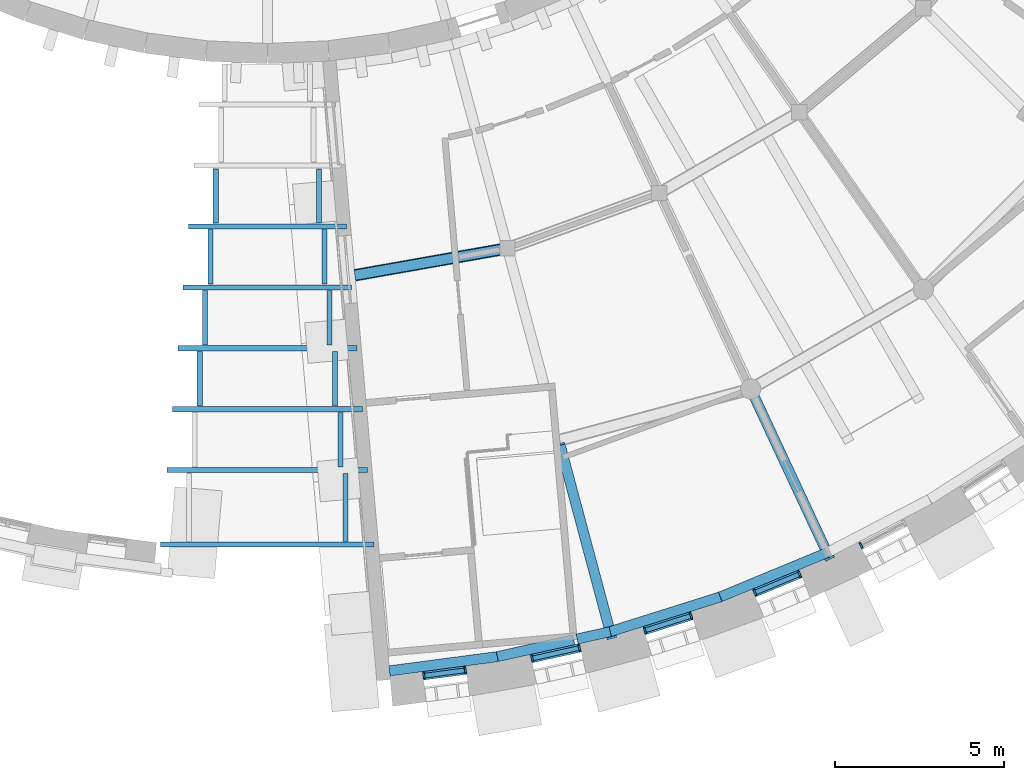
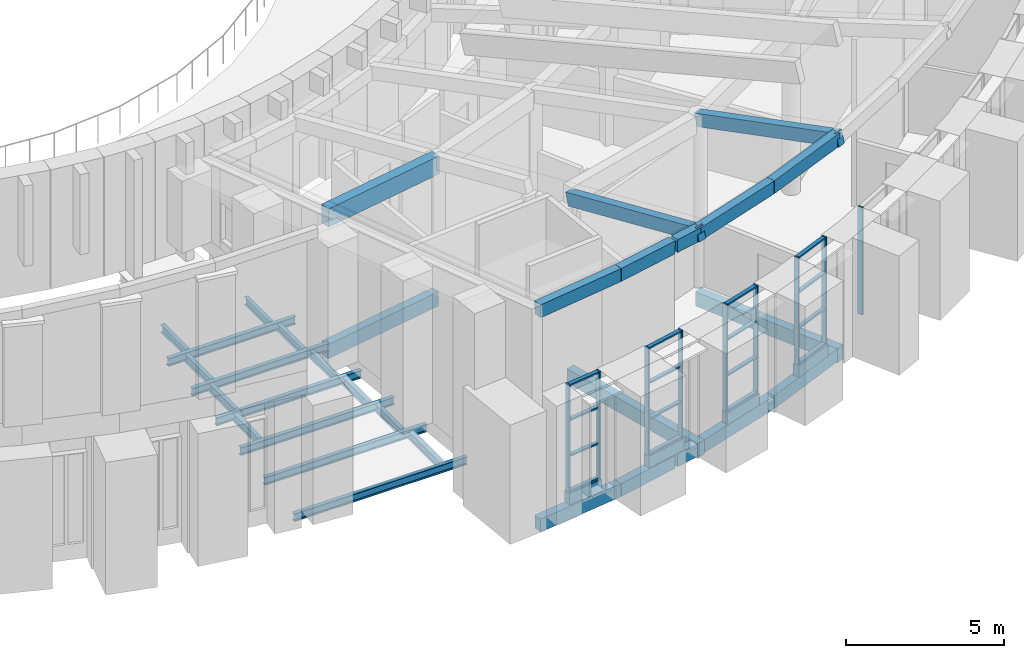
# One storey, part 2 of 50: 36 beams, 25 members, 5 elements without a shape of their own.
"""IFC4 building model written with IfcOpenShell, lengths in metres."""

from ifc_helpers import new_model, si_unit, direction, frame, origin, origin_2d, place, context, subcontext, project, spatial, rectangle, i_section, extrude, material, layer, layer_set, material_profile, profile_set, type_object, element, aggregate, save


model = new_model("IFC4")

# Units and contexts
model_context = context("Model", 3, precision=1e-05, world=origin(), true_north=direction((0.0, 1.0)))
body_context = subcontext(model_context, "Body", "Model", "MODEL_VIEW")
ifc_project = project(units=[si_unit("LENGTHUNIT", "METRE"), si_unit("AREAUNIT", "SQUARE_METRE"), si_unit("VOLUMEUNIT", "CUBIC_METRE"), si_unit("PLANEANGLEUNIT", "RADIAN"), si_unit("MASSUNIT", "GRAM", prefix="KILO")], contexts=[model_context])

# Site, building, storey
site_placement = place(None, origin())
site = spatial("IfcSite", under=ifc_project, at=site_placement, CompositionType="ELEMENT")
building_placement = place(site_placement, origin())
building = spatial("IfcBuilding", under=site, at=building_placement, Name="Volute Hill Aquarium", CompositionType="ELEMENT")
storey_placement = place(building_placement, frame((0.0, 0.0, 9.199951171875)))
storey = spatial("IfcBuildingStorey", under=building, at=storey_placement, Name="L03", CompositionType="ELEMENT", Elevation=9.199951171875)

# Beams
ifc_material_1 = material(Name="Concrete C35/45", Category="concrete")
ifc_material_profile_1 = material_profile(ifc_material_1, rectangle(XDim=0.300048828125, YDim=0.550048828125, at=origin_2d()), Name="RC beam 300x550")
ifc_profile_set_1 = profile_set([ifc_material_profile_1], Name="Concrete C35/45")
beam_type_1 = type_object("IfcBeamType", Name="Beam 300x550 C35/45", PredefinedType="BEAM", material=ifc_profile_set_1)
beam_1_placement = place(storey_placement, frame((8.644775390625, -32.262939453125, -0.544921875), z_axis=(0.258834145375, -0.965921780057, 0.0), x_axis=(0.965921780057, 0.258834145375, 0.0)))
element("IfcBeam", 1, at=beam_1_placement, inside=storey, type_object=beam_type_1, Name="bm/S3/L03/rad1.3", PredefinedType="BEAM", context=body_context, shape_type="SweptSolid", body=[
    extrude(rectangle(XDim=0.300048828125, YDim=0.550048828125, at=origin_2d()), origin(), (0.0, 0.0, 1.0), 5.848876953125),
])
beam_2_placement = place(storey_placement, frame((14.2705078125, -30.60302734375, -0.544921875), z_axis=(0.422629512047, -0.906302540847, 0.0), x_axis=(0.906302540847, 0.422629512047, 0.0)))
element("IfcBeam", 2, at=beam_2_placement, inside=storey, type_object=beam_type_1, Name="bm/S3/L03/rad2.6", PredefinedType="BEAM", context=body_context, shape_type="SweptSolid", body=[
    extrude(rectangle(XDim=0.300048828125, YDim=0.550048828125, at=origin_2d()), origin(), (0.0, 0.0, 1.0), 5.483154296875),
])
beam_3_placement = place(storey_placement, frame((2.584228515625, -27.244140625, -0.544921875), z_axis=(0.984810959113, 0.173629993984, 0.0), x_axis=(-0.173629993984, 0.984810959113, 0.0)))
element("IfcBeam", 3, at=beam_3_placement, inside=storey, type_object=beam_type_1, Name="bm/S3/L03/ring1.13", PredefinedType="BEAM", context=body_context, shape_type="SweptSolid", body=[
    extrude(rectangle(XDim=0.300048828125, YDim=0.550048828125, at=origin_2d()), origin(), (0.0, 0.0, 1.0), 4.572509765625),
])
ifc_material_2 = material(Name="Concrete C35/45", Category="concrete")
ifc_material_profile_2 = material_profile(ifc_material_2, rectangle(XDim=0.35009765625, YDim=0.699951171875, at=origin_2d()), Name="RC beam 350x700")
ifc_profile_set_2 = profile_set([ifc_material_profile_2], Name="Concrete C35/45")
beam_type_2 = type_object("IfcBeamType", Name="Beam 350x700 C35/45", PredefinedType="BEAM", material=ifc_profile_set_2)
beam_4_placement = place(storey_placement, frame((2.584228515625, -27.244140625, 4.6328125), z_axis=(0.984810959113, 0.173629993984, 0.0), x_axis=(-0.173629993984, 0.984810959113, 0.0)))
element("IfcBeam", 4, at=beam_4_placement, inside=storey, type_object=beam_type_2, Name="rb/S3/L03/ring1.13", PredefinedType="BEAM", context=body_context, shape_type="SweptSolid", body=[
    extrude(rectangle(XDim=0.35009765625, YDim=0.699951171875, at=origin_2d()), origin(), (0.0, 0.0, 1.0), 4.572509765625),
])

# Curtain wall, members
ifc_material_3 = material(Name="Aluminium", Category="aluminium")
ifc_layer_1 = layer(ifc_material_3, 0.25)
ifc_layer_set_1 = layer_set([ifc_layer_1], Name="Curtain wall niche S3 module 1289")
curtain_wall_type_1 = type_object("IfcCurtainWallType", Name="Curtain wall niche S3 module 1289", PredefinedType="NOTDEFINED", material=ifc_layer_set_1)
curtain_wall_1_placement = place(storey_placement, origin())
curtain_wall_1 = element("IfcCurtainWall", 5, at=curtain_wall_1_placement, inside=storey, type_object=curtain_wall_type_1, Name="Curtain wall CW S3 L03 1", PredefinedType="NOTDEFINED")
ifc_material_4 = material(Name="Aluminium", Category="aluminium")
ifc_material_profile_3 = material_profile(ifc_material_4, rectangle(XDim=0.179931640625, YDim=0.06005859375, at=origin_2d()), Name="Curtain wall mullion S3 60x180")
ifc_profile_set_3 = profile_set([ifc_material_profile_3], Name="Aluminium")
member_type_1 = type_object("IfcMemberType", Name="Curtain wall mullion S3 60x180", PredefinedType="MULLION", material=ifc_profile_set_3)
member_1_placement = place(storey_placement, frame((4.62451171875, -39.06787109375, 0.449951171875), z_axis=(0.0, 0.0, 1.0), x_axis=(-0.130506486875, 0.991447455432, 0.0)))
member_1 = element("IfcMember", 6, at=member_1_placement, type_object=member_type_1, Name="CW mullion 1", PredefinedType="MULLION", context=body_context, shape_type="SweptSolid", body=[
    extrude(rectangle(XDim=0.179931640625, YDim=0.06005859375, at=origin_2d()), origin(), (0.0, 0.0, 1.0), 4.150146484375),
])
member_2_placement = place(storey_placement, frame((5.843017578125, -38.907470703125, 0.449951171875), z_axis=(0.0, 0.0, 1.0), x_axis=(-0.130506486875, 0.991447455432, 0.0)))
member_2 = element("IfcMember", 7, at=member_2_placement, type_object=member_type_1, Name="CW mullion 2", PredefinedType="MULLION", context=body_context, shape_type="SweptSolid", body=[
    extrude(rectangle(XDim=0.179931640625, YDim=0.06005859375, at=origin_2d()), origin(), (0.0, 0.0, 1.0), 4.150146484375),
])

ifc_material_5 = material(Name="Aluminium", Category="aluminium")
ifc_layer_2 = layer(ifc_material_5, 0.25)
ifc_layer_set_2 = layer_set([ifc_layer_2], Name="Curtain wall niche S3 module 1489")
curtain_wall_type_2 = type_object("IfcCurtainWallType", Name="Curtain wall niche S3 module 1489", PredefinedType="NOTDEFINED", material=ifc_layer_set_2)
curtain_wall_2_placement = place(storey_placement, origin())
curtain_wall_2 = element("IfcCurtainWall", 8, at=curtain_wall_2_placement, inside=storey, type_object=curtain_wall_type_2, Name="Curtain wall CW S3 L03 2", PredefinedType="NOTDEFINED")
member_3_placement = place(storey_placement, frame((7.81640625, -38.5595703125, 0.449951171875), z_axis=(0.0, 0.0, 1.0), x_axis=(-0.216429178819, 0.976298320472, 0.0)))
member_3 = element("IfcMember", 9, at=member_3_placement, type_object=member_type_1, Name="CW mullion 1", PredefinedType="MULLION", context=body_context, shape_type="SweptSolid", body=[
    extrude(rectangle(XDim=0.179931640625, YDim=0.06005859375, at=origin_2d()), origin(), (0.0, 0.0, 1.0), 4.150146484375),
])
member_4_placement = place(storey_placement, frame((9.211669921875, -38.250244140625, 0.449951171875), z_axis=(0.0, 0.0, 1.0), x_axis=(-0.216429178819, 0.976298320472, 0.0)))
member_4 = element("IfcMember", 10, at=member_4_placement, type_object=member_type_1, Name="CW mullion 2", PredefinedType="MULLION", context=body_context, shape_type="SweptSolid", body=[
    extrude(rectangle(XDim=0.179931640625, YDim=0.06005859375, at=origin_2d()), origin(), (0.0, 0.0, 1.0), 4.150146484375),
])

curtain_wall_3_placement = place(storey_placement, origin())
curtain_wall_3 = element("IfcCurtainWall", 11, at=curtain_wall_3_placement, inside=storey, type_object=curtain_wall_type_2, Name="Curtain wall CW S3 L03 3", PredefinedType="NOTDEFINED")
member_5_placement = place(storey_placement, frame((11.147216796875, -37.7314453125, 0.449951171875), z_axis=(0.0, 0.0, 1.0), x_axis=(-0.300712597453, 0.953714807337, 0.0)))
member_5 = element("IfcMember", 12, at=member_5_placement, type_object=member_type_1, Name="CW mullion 1", PredefinedType="MULLION", context=body_context, shape_type="SweptSolid", body=[
    extrude(rectangle(XDim=0.179931640625, YDim=0.06005859375, at=origin_2d()), origin(), (0.0, 0.0, 1.0), 4.150146484375),
])
member_6_placement = place(storey_placement, frame((12.510498046875, -37.3017578125, 0.449951171875), z_axis=(0.0, 0.0, 1.0), x_axis=(-0.300712597453, 0.953714807337, 0.0)))
member_6 = element("IfcMember", 13, at=member_6_placement, type_object=member_type_1, Name="CW mullion 2", PredefinedType="MULLION", context=body_context, shape_type="SweptSolid", body=[
    extrude(rectangle(XDim=0.179931640625, YDim=0.06005859375, at=origin_2d()), origin(), (0.0, 0.0, 1.0), 4.150146484375),
])

curtain_wall_4_placement = place(storey_placement, origin())
curtain_wall_4 = element("IfcCurtainWall", 14, at=curtain_wall_4_placement, inside=storey, type_object=curtain_wall_type_2, Name="Curtain wall CW S3 L03 4", PredefinedType="NOTDEFINED")
member_7_placement = place(storey_placement, frame((14.3935546875, -36.6162109375, 0.449951171875), z_axis=(0.0, 0.0, 1.0), x_axis=(-0.382692594649, 0.923875737316, 0.0)))
member_7 = element("IfcMember", 15, at=member_7_placement, type_object=member_type_1, Name="CW mullion 1", PredefinedType="MULLION", context=body_context, shape_type="SweptSolid", body=[
    extrude(rectangle(XDim=0.179931640625, YDim=0.06005859375, at=origin_2d()), origin(), (0.0, 0.0, 1.0), 4.150146484375),
])
member_8_placement = place(storey_placement, frame((15.7138671875, -36.0693359375, 0.449951171875), z_axis=(0.0, 0.0, 1.0), x_axis=(-0.382692594649, 0.923875737316, 0.0)))
member_8 = element("IfcMember", 16, at=member_8_placement, type_object=member_type_1, Name="CW mullion 2", PredefinedType="MULLION", context=body_context, shape_type="SweptSolid", body=[
    extrude(rectangle(XDim=0.179931640625, YDim=0.06005859375, at=origin_2d()), origin(), (0.0, 0.0, 1.0), 4.150146484375),
])

# Curtain wall, member
curtain_wall_5_placement = place(storey_placement, origin())
curtain_wall_5 = element("IfcCurtainWall", 17, at=curtain_wall_5_placement, inside=storey, type_object=curtain_wall_type_2, Name="Curtain wall CW S3 L03 5", PredefinedType="NOTDEFINED")
member_9_placement = place(storey_placement, frame((17.530029296875, -35.222412109375, 0.449951171875), z_axis=(0.0, 0.0, 1.0), x_axis=(-0.461744254001, 0.887013102438, 0.0)))
member_9 = element("IfcMember", 18, at=member_9_placement, type_object=member_type_1, Name="CW mullion 1", PredefinedType="MULLION", context=body_context, shape_type="SweptSolid", body=[
    extrude(rectangle(XDim=0.179931640625, YDim=0.06005859375, at=origin_2d()), origin(), (0.0, 0.0, 1.0), 4.150146484375),
])
aggregate(curtain_wall_5, [member_9])

# Member
ifc_material_6 = material(Name="Aluminium", Category="aluminium")
ifc_material_profile_4 = material_profile(ifc_material_6, rectangle(XDim=0.139892578125, YDim=0.06005859375, at=origin_2d()), Name="Curtain wall transom S3 60x140")
ifc_profile_set_4 = profile_set([ifc_material_profile_4], Name="Aluminium")
member_type_2 = type_object("IfcMemberType", Name="Curtain wall transom S3 60x140", PredefinedType="USERDEFINED", material=ifc_profile_set_4)
member_10_placement = place(storey_placement, frame((4.654296875, -39.06396484375, 0.47998046875), z_axis=(0.991443629013, 0.130535552588, 0.0), x_axis=(-0.130535552588, 0.991443629013, 0.0)))
member_10 = element("IfcMember", 19, at=member_10_placement, type_object=member_type_2, Name="CW transom 1.1", ObjectType="TRANSOM", PredefinedType="USERDEFINED", context=body_context, shape_type="SweptSolid", body=[
    extrude(rectangle(XDim=0.139892578125, YDim=0.06005859375, at=origin_2d()), origin(), (0.0, 0.0, 1.0), 1.1689453125),
])

member_11_placement = place(storey_placement, frame((4.654296875, -39.06396484375, 1.83349609375), z_axis=(0.991443629013, 0.130535552588, 0.0), x_axis=(-0.130535552588, 0.991443629013, 0.0)))
member_11 = element("IfcMember", 20, at=member_11_placement, type_object=member_type_2, Name="CW transom 1.2", ObjectType="TRANSOM", PredefinedType="USERDEFINED", context=body_context, shape_type="SweptSolid", body=[
    extrude(rectangle(XDim=0.139892578125, YDim=0.06005859375, at=origin_2d()), origin(), (0.0, 0.0, 1.0), 1.1689453125),
])

member_12_placement = place(storey_placement, frame((4.654296875, -39.06396484375, 3.216796875), z_axis=(0.991443629013, 0.130535552588, 0.0), x_axis=(-0.130535552588, 0.991443629013, 0.0)))
member_12 = element("IfcMember", 21, at=member_12_placement, type_object=member_type_2, Name="CW transom 1.3", ObjectType="TRANSOM", PredefinedType="USERDEFINED", context=body_context, shape_type="SweptSolid", body=[
    extrude(rectangle(XDim=0.139892578125, YDim=0.06005859375, at=origin_2d()), origin(), (0.0, 0.0, 1.0), 1.1689453125),
])

member_13_placement = place(storey_placement, frame((4.654296875, -39.06396484375, 4.570068359375), z_axis=(0.991443629013, 0.130535552588, 0.0), x_axis=(-0.130535552588, 0.991443629013, 0.0)))
member_13 = element("IfcMember", 22, at=member_13_placement, type_object=member_type_2, Name="CW transom 1.4", ObjectType="TRANSOM", PredefinedType="USERDEFINED", context=body_context, shape_type="SweptSolid", body=[
    extrude(rectangle(XDim=0.139892578125, YDim=0.06005859375, at=origin_2d()), origin(), (0.0, 0.0, 1.0), 1.1689453125),
])

aggregate(curtain_wall_1, [member_1, member_2, member_10, member_11, member_12, member_13])

member_14_placement = place(storey_placement, frame((7.845703125, -38.552978515625, 0.47998046875), z_axis=(0.976287651886, 0.216477298519, 0.0), x_axis=(-0.216477298519, 0.976287651886, 0.0)))
member_14 = element("IfcMember", 23, at=member_14_placement, type_object=member_type_2, Name="CW transom 1.1", ObjectType="TRANSOM", PredefinedType="USERDEFINED", context=body_context, shape_type="SweptSolid", body=[
    extrude(rectangle(XDim=0.139892578125, YDim=0.06005859375, at=origin_2d()), origin(), (0.0, 0.0, 1.0), 1.369140625),
])

member_15_placement = place(storey_placement, frame((7.845703125, -38.552978515625, 1.83349609375), z_axis=(0.976287651886, 0.216477298519, 0.0), x_axis=(-0.216477298519, 0.976287651886, 0.0)))
member_15 = element("IfcMember", 24, at=member_15_placement, type_object=member_type_2, Name="CW transom 1.2", ObjectType="TRANSOM", PredefinedType="USERDEFINED", context=body_context, shape_type="SweptSolid", body=[
    extrude(rectangle(XDim=0.139892578125, YDim=0.06005859375, at=origin_2d()), origin(), (0.0, 0.0, 1.0), 1.369140625),
])

member_16_placement = place(storey_placement, frame((7.845703125, -38.552978515625, 3.216796875), z_axis=(0.976287651886, 0.216477298519, 0.0), x_axis=(-0.216477298519, 0.976287651886, 0.0)))
member_16 = element("IfcMember", 25, at=member_16_placement, type_object=member_type_2, Name="CW transom 1.3", ObjectType="TRANSOM", PredefinedType="USERDEFINED", context=body_context, shape_type="SweptSolid", body=[
    extrude(rectangle(XDim=0.139892578125, YDim=0.06005859375, at=origin_2d()), origin(), (0.0, 0.0, 1.0), 1.369140625),
])

member_17_placement = place(storey_placement, frame((7.845703125, -38.552978515625, 4.570068359375), z_axis=(0.976287651886, 0.216477298519, 0.0), x_axis=(-0.216477298519, 0.976287651886, 0.0)))
member_17 = element("IfcMember", 26, at=member_17_placement, type_object=member_type_2, Name="CW transom 1.4", ObjectType="TRANSOM", PredefinedType="USERDEFINED", context=body_context, shape_type="SweptSolid", body=[
    extrude(rectangle(XDim=0.139892578125, YDim=0.06005859375, at=origin_2d()), origin(), (0.0, 0.0, 1.0), 1.369140625),
])

aggregate(curtain_wall_2, [member_3, member_4, member_14, member_15, member_16, member_17])

member_18_placement = place(storey_placement, frame((11.176025390625, -37.722412109375, 0.47998046875), z_axis=(0.953728095538, 0.300670450463, 0.0), x_axis=(-0.300670450463, 0.953728095538, 0.0)))
member_18 = element("IfcMember", 27, at=member_18_placement, type_object=member_type_2, Name="CW transom 1.1", ObjectType="TRANSOM", PredefinedType="USERDEFINED", context=body_context, shape_type="SweptSolid", body=[
    extrude(rectangle(XDim=0.139892578125, YDim=0.06005859375, at=origin_2d()), origin(), (0.0, 0.0, 1.0), 1.368896484375),
])

member_19_placement = place(storey_placement, frame((11.176025390625, -37.722412109375, 1.83349609375), z_axis=(0.953728095538, 0.300670450463, 0.0), x_axis=(-0.300670450463, 0.953728095538, 0.0)))
member_19 = element("IfcMember", 28, at=member_19_placement, type_object=member_type_2, Name="CW transom 1.2", ObjectType="TRANSOM", PredefinedType="USERDEFINED", context=body_context, shape_type="SweptSolid", body=[
    extrude(rectangle(XDim=0.139892578125, YDim=0.06005859375, at=origin_2d()), origin(), (0.0, 0.0, 1.0), 1.368896484375),
])

member_20_placement = place(storey_placement, frame((11.176025390625, -37.722412109375, 3.216796875), z_axis=(0.953728095538, 0.300670450463, 0.0), x_axis=(-0.300670450463, 0.953728095538, 0.0)))
member_20 = element("IfcMember", 29, at=member_20_placement, type_object=member_type_2, Name="CW transom 1.3", ObjectType="TRANSOM", PredefinedType="USERDEFINED", context=body_context, shape_type="SweptSolid", body=[
    extrude(rectangle(XDim=0.139892578125, YDim=0.06005859375, at=origin_2d()), origin(), (0.0, 0.0, 1.0), 1.368896484375),
])

member_21_placement = place(storey_placement, frame((11.176025390625, -37.722412109375, 4.570068359375), z_axis=(0.953728095538, 0.300670450463, 0.0), x_axis=(-0.300670450463, 0.953728095538, 0.0)))
member_21 = element("IfcMember", 30, at=member_21_placement, type_object=member_type_2, Name="CW transom 1.4", ObjectType="TRANSOM", PredefinedType="USERDEFINED", context=body_context, shape_type="SweptSolid", body=[
    extrude(rectangle(XDim=0.139892578125, YDim=0.06005859375, at=origin_2d()), origin(), (0.0, 0.0, 1.0), 1.368896484375),
])

aggregate(curtain_wall_3, [member_5, member_6, member_18, member_19, member_20, member_21])

member_22_placement = place(storey_placement, frame((14.421142578125, -36.604736328125, 0.47998046875), z_axis=(0.923908190995, 0.382614237336, 0.0), x_axis=(-0.382614237336, 0.923908190995, 0.0)))
member_22 = element("IfcMember", 31, at=member_22_placement, type_object=member_type_2, Name="CW transom 1.1", ObjectType="TRANSOM", PredefinedType="USERDEFINED", context=body_context, shape_type="SweptSolid", body=[
    extrude(rectangle(XDim=0.139892578125, YDim=0.06005859375, at=origin_2d()), origin(), (0.0, 0.0, 1.0), 1.369384765625),
])

member_23_placement = place(storey_placement, frame((14.421142578125, -36.604736328125, 1.83349609375), z_axis=(0.923908190995, 0.382614237336, 0.0), x_axis=(-0.382614237336, 0.923908190995, 0.0)))
member_23 = element("IfcMember", 32, at=member_23_placement, type_object=member_type_2, Name="CW transom 1.2", ObjectType="TRANSOM", PredefinedType="USERDEFINED", context=body_context, shape_type="SweptSolid", body=[
    extrude(rectangle(XDim=0.139892578125, YDim=0.06005859375, at=origin_2d()), origin(), (0.0, 0.0, 1.0), 1.369384765625),
])

member_24_placement = place(storey_placement, frame((14.421142578125, -36.604736328125, 3.216796875), z_axis=(0.923908190995, 0.382614237336, 0.0), x_axis=(-0.382614237336, 0.923908190995, 0.0)))
member_24 = element("IfcMember", 33, at=member_24_placement, type_object=member_type_2, Name="CW transom 1.3", ObjectType="TRANSOM", PredefinedType="USERDEFINED", context=body_context, shape_type="SweptSolid", body=[
    extrude(rectangle(XDim=0.139892578125, YDim=0.06005859375, at=origin_2d()), origin(), (0.0, 0.0, 1.0), 1.369384765625),
])

member_25_placement = place(storey_placement, frame((14.421142578125, -36.604736328125, 4.570068359375), z_axis=(0.923908190995, 0.382614237336, 0.0), x_axis=(-0.382614237336, 0.923908190995, 0.0)))
member_25 = element("IfcMember", 34, at=member_25_placement, type_object=member_type_2, Name="CW transom 1.4", ObjectType="TRANSOM", PredefinedType="USERDEFINED", context=body_context, shape_type="SweptSolid", body=[
    extrude(rectangle(XDim=0.139892578125, YDim=0.06005859375, at=origin_2d()), origin(), (0.0, 0.0, 1.0), 1.369384765625),
])

aggregate(curtain_wall_4, [member_7, member_8, member_22, member_23, member_24, member_25])

# Beams
ifc_material_7 = material(Name="Concrete C35/45", Category="concrete")
ifc_material_profile_5 = material_profile(ifc_material_7, rectangle(XDim=0.300048828125, YDim=0.5, at=origin_2d()), Name="RC edge beam 300x500")
ifc_profile_set_5 = profile_set([ifc_material_profile_5], Name="Concrete C35/45")
beam_type_3 = type_object("IfcBeamType", Name="Edge beam 300x500 C35/45", PredefinedType="BEAM", material=ifc_profile_set_5)
beam_5_placement = place(storey_placement, frame((3.606201171875, -38.925048828125, -0.52001953125), z_axis=(0.991441091468, 0.1305548243, 0.0), x_axis=(-0.1305548243, 0.991441091468, 0.0)))
element("IfcBeam", 35, at=beam_5_placement, inside=storey, type_object=beam_type_3, Name="bm/S3/L03/edgeO.31", PredefinedType="BEAM", context=body_context, shape_type="SweptSolid", body=[
    extrude(rectangle(XDim=0.300048828125, YDim=0.5, at=origin_2d()), origin(), (0.0, 0.0, 1.0), 3.2109375),
])
beam_6_placement = place(storey_placement, frame((6.78955078125, -38.505859375, -0.52001953125), z_axis=(0.976298987217, 0.21642617115, 0.0), x_axis=(-0.21642617115, 0.976298987217, 0.0)))
element("IfcBeam", 36, at=beam_6_placement, inside=storey, type_object=beam_type_3, Name="bm/S3/L03/edgeO.32", PredefinedType="BEAM", context=body_context, shape_type="SweptSolid", body=[
    extrude(rectangle(XDim=0.300048828125, YDim=0.5, at=origin_2d()), origin(), (0.0, 0.0, 1.0), 2.306884765625),
])
beam_7_placement = place(storey_placement, frame((9.145263671875, -37.983642578125, -0.52001953125), z_axis=(0.976296270331, 0.216438426664, 0.0), x_axis=(-0.216438426664, 0.976296270331, 0.0)))
element("IfcBeam", 37, at=beam_7_placement, inside=storey, type_object=beam_type_3, Name="bm/S3/L03/edgeO.33", PredefinedType="BEAM", context=body_context, shape_type="SweptSolid", body=[
    extrude(rectangle(XDim=0.300048828125, YDim=0.5, at=origin_2d()), origin(), (0.0, 0.0, 1.0), 0.998291015625),
])
beam_8_placement = place(storey_placement, frame((10.119873046875, -37.767578125, -0.52001953125), z_axis=(0.953697264074, 0.300768230534, 0.0), x_axis=(-0.300768230534, 0.953697264074, 0.0)))
element("IfcBeam", 38, at=beam_8_placement, inside=storey, type_object=beam_type_3, Name="bm/S3/L03/edgeO.34", PredefinedType="BEAM", context=body_context, shape_type="SweptSolid", body=[
    extrude(rectangle(XDim=0.300048828125, YDim=0.5, at=origin_2d()), origin(), (0.0, 0.0, 1.0), 3.410888671875),
])
beam_9_placement = place(storey_placement, frame((13.372802734375, -36.74169921875, -0.52001953125), z_axis=(0.923906931346, 0.382617279028, 0.0), x_axis=(-0.382617279028, 0.923906931346, 0.0)))
element("IfcBeam", 39, at=beam_9_placement, inside=storey, type_object=beam_type_3, Name="bm/S3/L03/edgeO.35", PredefinedType="BEAM", context=body_context, shape_type="SweptSolid", body=[
    extrude(rectangle(XDim=0.300048828125, YDim=0.5, at=origin_2d()), origin(), (0.0, 0.0, 1.0), 3.4111328125),
])
beam_10_placement = place(storey_placement, frame((3.606201171875, -38.925048828125, 7.747314453125), z_axis=(0.9913783197, 0.130546558396, 0.011252702762), x_axis=(-0.1305548243, 0.991441091468, 0.0)))
element("IfcBeam", 40, at=beam_10_placement, inside=storey, type_object=beam_type_3, Name="rb/S3/L03/edgeO.31", PredefinedType="BEAM", context=body_context, shape_type="SweptSolid", body=[
    extrude(rectangle(XDim=0.300048828125, YDim=0.5, at=origin_2d()), origin(), (0.0, 0.0, 1.0), 3.2109375),
])
beam_11_placement = place(storey_placement, frame((6.78955078125, -38.505859375, 7.783447265625), z_axis=(0.976237560612, 0.216412554087, -0.011217472241), x_axis=(-0.21642617115, 0.976298987217, 0.0)))
element("IfcBeam", 41, at=beam_11_placement, inside=storey, type_object=beam_type_3, Name="rb/S3/L03/edgeO.32", PredefinedType="BEAM", context=body_context, shape_type="SweptSolid", body=[
    extrude(rectangle(XDim=0.300048828125, YDim=0.5, at=origin_2d()), origin(), (0.0, 0.0, 1.0), 2.30712890625),
])
beam_12_placement = place(storey_placement, frame((9.145263671875, -37.983642578125, 7.75634765625), z_axis=(0.976234495969, 0.216424731697, -0.011249195094), x_axis=(-0.216438426664, 0.976296270331, 0.0)))
element("IfcBeam", 42, at=beam_12_placement, inside=storey, type_object=beam_type_3, Name="rb/S3/L03/edgeO.33", PredefinedType="BEAM", context=body_context, shape_type="SweptSolid", body=[
    extrude(rectangle(XDim=0.300048828125, YDim=0.5, at=origin_2d()), origin(), (0.0, 0.0, 1.0), 0.998291015625),
])
beam_13_placement = place(storey_placement, frame((10.119873046875, -37.767578125, 7.7451171875), z_axis=(0.953637051035, 0.300749241103, 0.011236942135), x_axis=(-0.300768230534, 0.953697264074, 0.0)))
element("IfcBeam", 43, at=beam_13_placement, inside=storey, type_object=beam_type_3, Name="rb/S3/L03/edgeO.34", PredefinedType="BEAM", context=body_context, shape_type="SweptSolid", body=[
    extrude(rectangle(XDim=0.300048828125, YDim=0.5, at=origin_2d()), origin(), (0.0, 0.0, 1.0), 3.4111328125),
])
beam_14_placement = place(storey_placement, frame((13.372802734375, -36.74169921875, 7.783447265625), z_axis=(0.923848609984, 0.382593126421, -0.011235899897), x_axis=(-0.382617279028, 0.923906931346, 0.0)))
element("IfcBeam", 44, at=beam_14_placement, inside=storey, type_object=beam_type_3, Name="rb/S3/L03/edgeO.35", PredefinedType="BEAM", context=body_context, shape_type="SweptSolid", body=[
    extrude(rectangle(XDim=0.300048828125, YDim=0.5, at=origin_2d()), origin(), (0.0, 0.0, 1.0), 3.411376953125),
])
ifc_material_8 = material(Name="Concrete C35/45", Category="concrete")
ifc_material_profile_6 = material_profile(ifc_material_8, rectangle(XDim=0.25, YDim=0.449951171875, at=origin_2d()), Name="RC beam 250x450")
ifc_profile_set_6 = profile_set([ifc_material_profile_6], Name="Concrete C35/45")
beam_type_4 = type_object("IfcBeamType", Name="Niche sill beam RC 250x450 C35/45", PredefinedType="BEAM", material=ifc_profile_set_6)
beam_15_placement = place(storey_placement, frame((4.5947265625, -39.07177734375, 0.22509765625), z_axis=(0.991449782625, 0.130488806156, 0.0), x_axis=(-0.130488806156, 0.991449782625, 0.0)))
element("IfcBeam", 45, at=beam_15_placement, inside=storey, type_object=beam_type_4, Name="Niche sill beam OWB S3 L03 1", PredefinedType="BEAM", context=body_context, shape_type="SweptSolid", body=[
    extrude(rectangle(XDim=0.25, YDim=0.449951171875, at=origin_2d()), origin(), (0.0, 0.0, 1.0), 1.2890625),
])
for number, where, z_axis, x_axis, name in (
    (46, (7.787109375, -38.56591796875, 0.22509765625), (0.976302648363, 0.216409655053, 0.0), (-0.216409655053, 0.976302648363, 0.0), "Niche sill beam OWB S3 L03 2"),
    (47, (11.11865234375, -37.740478515625, 0.22509765625), (0.953736146643, 0.300644911128, 0.0), (-0.300644911128, 0.953736146643, 0.0), "Niche sill beam OWB S3 L03 3"),
    (48, (14.36572265625, -36.627685546875, 0.22509765625), (0.923908951424, 0.382612401104, 0.0), (-0.382612401104, 0.923908951424, 0.0), "Niche sill beam OWB S3 L03 4"),
):
    element("IfcBeam", number, at=place(storey_placement, frame(where, z_axis=z_axis, x_axis=x_axis)), inside=storey, type_object=beam_type_4, Name=name, PredefinedType="BEAM", context=body_context, shape_type="SweptSolid", body=[
        extrude(rectangle(XDim=0.25, YDim=0.449951171875, at=origin_2d()), origin(), (0.0, 0.0, 1.0), 1.4892578125),
    ])
ifc_material_9 = material(Name="Steel S355", Category="steel")
ifc_material_profile_7 = material_profile(ifc_material_9, i_section(OverallWidth=0.14990234375, OverallDepth=0.300048828125, WebThickness=0.007080078125, FlangeThickness=0.0107421875, FilletRadius=0.014892578125, at=origin_2d()), Name="IPE 300")
ifc_profile_set_7 = profile_set([ifc_material_profile_7], Name="Steel S355")
beam_type_5 = type_object("IfcBeamType", Name="Passage roof beam IPE 300", PredefinedType="BEAM", material=ifc_profile_set_7)
beam_16_placement = place(storey_placement, frame((-2.331298828125, -25.800048828125, -0.14990234375), z_axis=(1.0, 0.0, 0.0), x_axis=(0.0, 1.0, 0.0)))
element("IfcBeam", 49, at=beam_16_placement, inside=storey, type_object=beam_type_5, Name="ps/SC3/L03/b2", PredefinedType="BEAM", context=body_context, shape_type="SweptSolid", body=[
    extrude(i_section(OverallWidth=0.14990234375, OverallDepth=0.300048828125, WebThickness=0.007080078125, FlangeThickness=0.0107421875, FilletRadius=0.014892578125, at=origin_2d()), origin(), (0.0, 0.0, 1.0), 4.66259765625),
])
beam_17_placement = place(storey_placement, frame((-2.489013671875, -27.60009765625, -0.14990234375), z_axis=(1.0, 0.0, 0.0), x_axis=(0.0, 1.0, 0.0)))
element("IfcBeam", 50, at=beam_17_placement, inside=storey, type_object=beam_type_5, Name="ps/SC3/L03/b3", PredefinedType="BEAM", context=body_context, shape_type="SweptSolid", body=[
    extrude(i_section(OverallWidth=0.14990234375, OverallDepth=0.300048828125, WebThickness=0.007080078125, FlangeThickness=0.0107421875, FilletRadius=0.014892578125, at=origin_2d()), origin(), (0.0, 0.0, 1.0), 4.97802734375),
])
beam_18_placement = place(storey_placement, frame((-2.646484375, -29.39990234375, -0.14990234375), z_axis=(1.0, 0.0, 0.0), x_axis=(0.0, 1.0, 0.0)))
element("IfcBeam", 51, at=beam_18_placement, inside=storey, type_object=beam_type_5, Name="ps/SC3/L03/b4", PredefinedType="BEAM", context=body_context, shape_type="SweptSolid", body=[
    extrude(i_section(OverallWidth=0.14990234375, OverallDepth=0.300048828125, WebThickness=0.007080078125, FlangeThickness=0.0107421875, FilletRadius=0.014892578125, at=origin_2d()), origin(), (0.0, 0.0, 1.0), 5.29296875),
])
beam_19_placement = place(storey_placement, frame((-2.803955078125, -31.199951171875, -0.14990234375), z_axis=(1.0, 0.0, 0.0), x_axis=(0.0, 1.0, 0.0)))
element("IfcBeam", 52, at=beam_19_placement, inside=storey, type_object=beam_type_5, Name="ps/SC3/L03/b5", PredefinedType="BEAM", context=body_context, shape_type="SweptSolid", body=[
    extrude(i_section(OverallWidth=0.14990234375, OverallDepth=0.300048828125, WebThickness=0.007080078125, FlangeThickness=0.0107421875, FilletRadius=0.014892578125, at=origin_2d()), origin(), (0.0, 0.0, 1.0), 5.60791015625),
])
beam_20_placement = place(storey_placement, frame((-2.96142578125, -33.0, -0.14990234375), z_axis=(1.0, 0.0, 0.0), x_axis=(0.0, 1.0, 0.0)))
element("IfcBeam", 53, at=beam_20_placement, inside=storey, type_object=beam_type_5, Name="ps/SC3/L03/b6", PredefinedType="BEAM", context=body_context, shape_type="SweptSolid", body=[
    extrude(i_section(OverallWidth=0.14990234375, OverallDepth=0.300048828125, WebThickness=0.007080078125, FlangeThickness=0.0107421875, FilletRadius=0.014892578125, at=origin_2d()), origin(), (0.0, 0.0, 1.0), 5.9228515625),
])
beam_21_placement = place(storey_placement, frame((-3.15380859375, -35.199951171875, -0.14990234375), z_axis=(1.0, 0.0, 0.0), x_axis=(0.0, 1.0, 0.0)))
element("IfcBeam", 54, at=beam_21_placement, inside=storey, type_object=beam_type_5, Name="ps/SC3/L03/b7", PredefinedType="BEAM", context=body_context, shape_type="SweptSolid", body=[
    extrude(i_section(OverallWidth=0.14990234375, OverallDepth=0.300048828125, WebThickness=0.007080078125, FlangeThickness=0.0107421875, FilletRadius=0.014892578125, at=origin_2d()), origin(), (0.0, 0.0, 1.0), 6.3076171875),
])
for number, where, z_axis, x_axis, name in (
    (55, (-1.52392578125, -24.10009765625, -0.14990234375), (0.0, -1.0, 0.0), (1.0, 0.0, 0.0), "ps/SC3/L03/e2.0"),
    (56, (1.52392578125, -24.10009765625, -0.14990234375), (0.0, -1.0, 0.0), (1.0, 0.0, 0.0), "ps/SC3/L03/e2.1"),
):
    element("IfcBeam", number, at=place(storey_placement, frame(where, z_axis=z_axis, x_axis=x_axis)), inside=storey, type_object=beam_type_5, Name=name, PredefinedType="BEAM", context=body_context, shape_type="SweptSolid", body=[
        extrude(i_section(OverallWidth=0.14990234375, OverallDepth=0.300048828125, WebThickness=0.007080078125, FlangeThickness=0.0107421875, FilletRadius=0.014892578125, at=origin_2d()), origin(), (0.0, 0.0, 1.0), 1.599853515625),
    ])
for number, where, z_axis, x_axis, name in (
    (57, (-1.680908203125, -25.89990234375, -0.14990234375), (0.0, -1.0, 0.0), (1.0, 0.0, 0.0), "ps/SC3/L03/e3.0"),
    (58, (1.680908203125, -25.89990234375, -0.14990234375), (0.0, -1.0, 0.0), (1.0, 0.0, 0.0), "ps/SC3/L03/e3.1"),
    (59, (-1.839111328125, -27.699951171875, -0.14990234375), (0.0, -1.0, 0.0), (1.0, 0.0, 0.0), "ps/SC3/L03/e4.0"),
    (60, (1.839111328125, -27.699951171875, -0.14990234375), (0.0, -1.0, 0.0), (1.0, 0.0, 0.0), "ps/SC3/L03/e4.1"),
    (61, (-1.99609375, -29.5, -0.14990234375), (0.0, -1.0, 0.0), (1.0, 0.0, 0.0), "ps/SC3/L03/e5.0"),
    (62, (1.99609375, -29.5, -0.14990234375), (0.0, -1.0, 0.0), (1.0, 0.0, 0.0), "ps/SC3/L03/e5.1"),
):
    element("IfcBeam", number, at=place(storey_placement, frame(where, z_axis=z_axis, x_axis=x_axis)), inside=storey, type_object=beam_type_5, Name=name, PredefinedType="BEAM", context=body_context, shape_type="SweptSolid", body=[
        extrude(i_section(OverallWidth=0.14990234375, OverallDepth=0.300048828125, WebThickness=0.007080078125, FlangeThickness=0.0107421875, FilletRadius=0.014892578125, at=origin_2d()), origin(), (0.0, 0.0, 1.0), 1.60009765625),
    ])
beam_22_placement = place(storey_placement, frame((2.154052734375, -31.300048828125, -0.14990234375), z_axis=(0.0, -1.0, 0.0), x_axis=(1.0, 0.0, 0.0)))
element("IfcBeam", 63, at=beam_22_placement, inside=storey, type_object=beam_type_5, Name="ps/SC3/L03/e6.1", PredefinedType="BEAM", context=body_context, shape_type="SweptSolid", body=[
    extrude(i_section(OverallWidth=0.14990234375, OverallDepth=0.300048828125, WebThickness=0.007080078125, FlangeThickness=0.0107421875, FilletRadius=0.014892578125, at=origin_2d()), origin(), (0.0, 0.0, 1.0), 1.599853515625),
])
beam_23_placement = place(storey_placement, frame((2.31103515625, -33.10009765625, -0.14990234375), z_axis=(0.0, -1.0, 0.0), x_axis=(1.0, 0.0, 0.0)))
element("IfcBeam", 64, at=beam_23_placement, inside=storey, type_object=beam_type_5, Name="ps/SC3/L03/e7.1", PredefinedType="BEAM", context=body_context, shape_type="SweptSolid", body=[
    extrude(i_section(OverallWidth=0.14990234375, OverallDepth=0.300048828125, WebThickness=0.007080078125, FlangeThickness=0.0107421875, FilletRadius=0.014892578125, at=origin_2d()), origin(), (0.0, 0.0, 1.0), 2.0),
])
ifc_material_10 = material(Name="Concrete C35/45", Category="concrete")
ifc_material_profile_8 = material_profile(ifc_material_10, rectangle(XDim=0.300048828125, YDim=0.5, at=origin_2d()), Name="RC rib 300x500")
ifc_profile_set_8 = profile_set([ifc_material_profile_8], Name="Concrete C35/45")
beam_type_6 = type_object("IfcBeamType", Name="Roof rib 300x500 C35/45", PredefinedType="BEAM", material=ifc_profile_set_8)
beam_24_placement = place(storey_placement, frame((8.644775390625, -32.262939453125, 6.271728515625), z_axis=(0.250682778028, -0.935502365158, 0.248984878225), x_axis=(0.965921780057, 0.258834145375, 0.0)))
element("IfcBeam", 65, at=beam_24_placement, inside=storey, type_object=beam_type_6, Name="rb/S3/L03/rib1.3", PredefinedType="BEAM", context=body_context, shape_type="SweptSolid", body=[
    extrude(rectangle(XDim=0.300048828125, YDim=0.5, at=origin_2d()), origin(), (0.0, 0.0, 1.0), 6.0390625),
])
beam_25_placement = place(storey_placement, frame((14.2705078125, -30.60302734375, 6.365966796875), z_axis=(0.409323676876, -0.877769009989, 0.248949176844), x_axis=(0.906302540847, 0.422629512047, 0.0)))
element("IfcBeam", 66, at=beam_25_placement, inside=storey, type_object=beam_type_6, Name="rb/S3/L03/rib2.6", PredefinedType="BEAM", context=body_context, shape_type="SweptSolid", body=[
    extrude(rectangle(XDim=0.300048828125, YDim=0.5, at=origin_2d()), origin(), (0.0, 0.0, 1.0), 5.661376953125),
])

save(model, "model.ifc")
